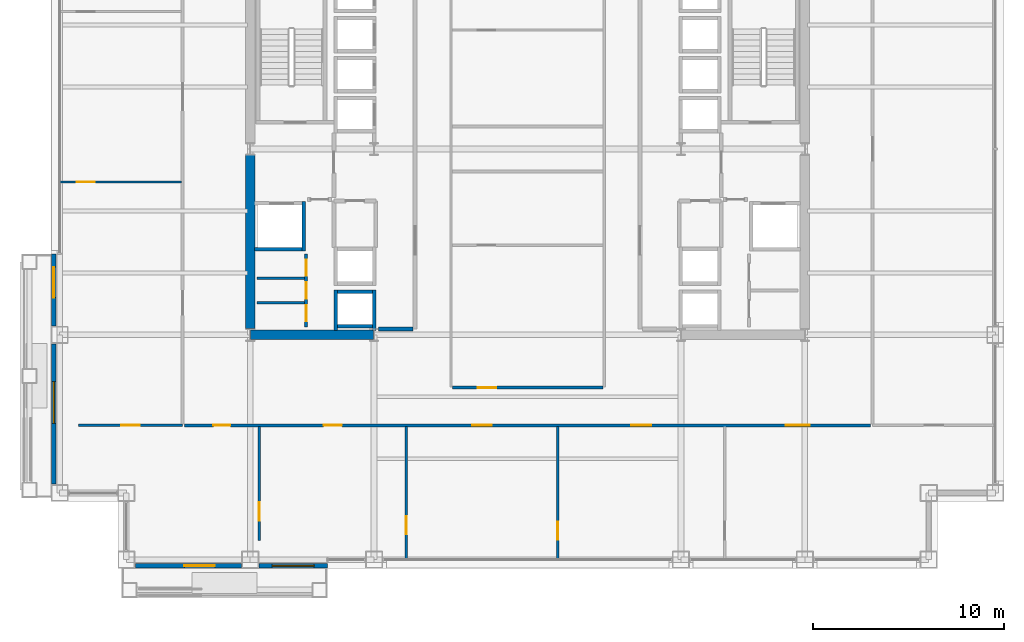
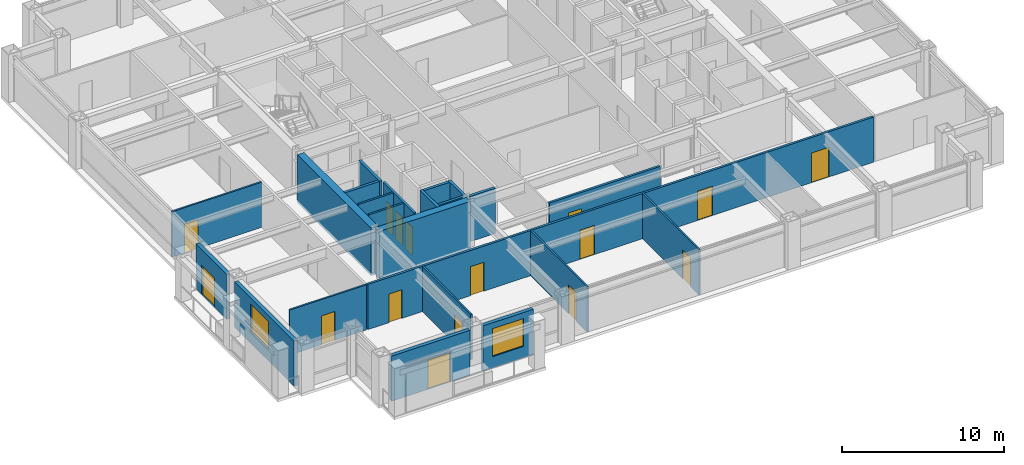
# One storey, part 24 of 30: 23 walls, 16 doors, 2 windows, 18 openings.
"""IFC4 building model written with IfcOpenShell, lengths in metres."""

from ifc_helpers import new_model, si_unit, direction, frame, frame_2d, origin, place, context, subcontext, project, spatial, rectangle, extrude, material, layer, layer_set, type_object, element, fill, save


model = new_model("IFC4")

# Units and contexts
model_context = context("Model", 3, precision=1e-05, world=origin(), true_north=direction((0.0, 1.0)))
body_context = subcontext(model_context, "Body", "Model", "MODEL_VIEW")
ifc_project = project(units=[si_unit("LENGTHUNIT", "METRE"), si_unit("AREAUNIT", "SQUARE_METRE"), si_unit("VOLUMEUNIT", "CUBIC_METRE"), si_unit("PLANEANGLEUNIT", "RADIAN"), si_unit("MASSUNIT", "GRAM", prefix="KILO")], contexts=[model_context])

# Site, building, storey
site_placement = place(None, origin())
site = spatial("IfcSite", under=ifc_project, at=site_placement, CompositionType="ELEMENT")
building_placement = place(site_placement, origin())
building = spatial("IfcBuilding", under=site, at=building_placement, Name="Brelmoor Portico Tower", CompositionType="ELEMENT")
storey_placement = place(building_placement, frame((0.0, 0.0, 74.39990234375)))
storey = spatial("IfcBuildingStorey", under=building, at=storey_placement, Name="L19", CompositionType="ELEMENT", Elevation=74.39990234375)

# Walls
ifc_material_1 = material(Name="Concrete C60", Category="concrete")
ifc_layer_1 = layer(ifc_material_1, 0.5)
ifc_layer_set_1 = layer_set([ifc_layer_1], Name="Concrete C60")
wall_type_1 = type_object("IfcWallType", Name="WL-CORE-500", PredefinedType="SHEAR", material=ifc_layer_set_1)
wall_1_placement = place(storey_placement, frame((-14.530029296875, -9.75, -0.199951171875), z_axis=(0.0, 0.0, 1.0), x_axis=(1.0, 0.0, 0.0)))
element("IfcWall", 1, at=wall_1_placement, inside=storey, type_object=wall_type_1, Name="L19 WC South Shear Wall", PredefinedType="SHEAR", context=body_context, shape_type="SweptSolid", body=[
    extrude(rectangle(XDim=6.4599609375, YDim=0.5, at=frame_2d((3.22998046875, 0.0))), origin(), (0.0, 0.0, 1.0), 3.60009765625),
])
wall_2_placement = place(storey_placement, frame((-14.550048828125, -9.425048828125, -0.199951171875), z_axis=(0.0, 0.0, 1.0), x_axis=(0.0, 1.0, 0.0)))
element("IfcWall", 2, at=wall_2_placement, inside=storey, type_object=wall_type_1, Name="L19 WC Outer South Shear Wall", PredefinedType="SHEAR", context=body_context, shape_type="SweptSolid", body=[
    extrude(rectangle(XDim=9.10009765625, YDim=0.5, at=frame_2d((4.550048828125, 0.0))), origin(), (0.0, 0.0, 1.0), 3.60009765625),
])

# Wall, opening, door
ifc_material_2 = material(Name="Precast Concrete C40 Insulated Facade Wall", Category="concrete")
ifc_layer_2 = layer(ifc_material_2, 0.25)
ifc_layer_set_2 = layer_set([ifc_layer_2], Name="Precast Concrete C40 Insulated Facade Wall")
wall_type_2 = type_object("IfcWallType", Name="WL-EXT-250", PredefinedType="STANDARD", material=ifc_layer_set_2)
wall_3_placement = place(storey_placement, frame((-20.580078125, -21.860107421875, 0.0), z_axis=(0.0, 0.0, 1.0), x_axis=(1.0, 0.0, 0.0)))
wall_3 = element("IfcWall", 3, at=wall_3_placement, inside=storey, type_object=wall_type_2, Name="L19 Loggia Threshold Wall S-1", PredefinedType="STANDARD", context=body_context, shape_type="SweptSolid", body=[
    extrude(rectangle(XDim=5.56005859375, YDim=0.25, at=frame_2d((2.780029296875, 0.0))), origin(), (0.0, 0.0, 1.0), 3.400146484375),
])
opening_1_placement = place(wall_3_placement, frame((2.580078125, 0.0, 0.0)))
opening_1 = element("IfcOpeningElement", 4, at=opening_1_placement, cuts=wall_3, Name="Opening D-TB1", PredefinedType="OPENING", context=body_context, shape_type="SweptSolid", body=[
    extrude(rectangle(XDim=1.60009765625, YDim=2.199951171875, at=frame_2d((0.800048828125, 1.10009765625))), frame((0.0, 0.135009765625, 0.0), z_axis=(0.0, -1.0, 0.0), x_axis=(1.0, 0.0, 0.0)), (0.0, 0.0, 1.0), 0.27001953125),
])
ifc_material_3 = material(Name="Double-Leaf Thermally Broken Terrace Door", Category="aluminium")
door_type_1 = type_object("IfcDoorType", Name="DR-BALCONY-1600", OperationType="NOTDEFINED", PredefinedType="DOOR", material=ifc_material_3)
door_1_placement = place(opening_1_placement, origin())
door_1 = element("IfcDoor", 5, at=door_1_placement, inside=storey, type_object=door_type_1, Name="D-0887 L19 Tree Balcony Double Door S", OperationType="DOUBLE_DOOR_SINGLE_SWING", OverallHeight=2.199951171875, OverallWidth=1.60009765625, PredefinedType="DOOR", context=body_context, shape_type="SweptSolid", body=[
    extrude(rectangle(XDim=1.60009765625, YDim=2.199951171875, at=frame_2d((0.800048828125, 1.10009765625))), frame((0.0, 0.02490234375, 0.0), z_axis=(0.0, -1.0, 0.0), x_axis=(1.0, 0.0, 0.0)), (0.0, 0.0, 1.0), 0.050048828125),
])
fill(opening_1, door_1)

# Wall, opening, window
wall_4_placement = place(storey_placement, frame((-14.080078125, -21.860107421875, 0.0), z_axis=(0.0, 0.0, 1.0), x_axis=(1.0, 0.0, 0.0)))
wall_4 = element("IfcWall", 6, at=wall_4_placement, inside=storey, type_object=wall_type_2, Name="L19 Loggia Threshold Wall S-2", PredefinedType="STANDARD", context=body_context, shape_type="SweptSolid", body=[
    extrude(rectangle(XDim=3.580078125, YDim=0.25, at=frame_2d((1.7900390625, 0.0))), origin(), (0.0, 0.0, 1.0), 3.400146484375),
])
opening_2_placement = place(wall_4_placement, frame((0.679931640625, 0.0, 0.85009765625)))
opening_2 = element("IfcOpeningElement", 7, at=opening_2_placement, cuts=wall_4, Name="Opening W-03B", PredefinedType="OPENING", context=body_context, shape_type="SweptSolid", body=[
    extrude(rectangle(XDim=2.199951171875, YDim=2.10009765625, at=frame_2d((1.10009765625, 1.050048828125))), frame((0.0, 0.135009765625, 0.0), z_axis=(0.0, -1.0, 0.0), x_axis=(1.0, 0.0, 0.0)), (0.0, 0.0, 1.0), 0.27001953125),
])
ifc_material_4 = material(Name="Thermally Broken Aluminium Low-E Window", Category="aluminium")
window_type = type_object("IfcWindowType", Name="WN-LOGGIA-2200x2100", PartitioningType="SINGLE_PANEL", PredefinedType="WINDOW", material=ifc_material_4)
window_1_placement = place(opening_2_placement, origin())
window_1 = element("IfcWindow", 8, at=window_1_placement, inside=storey, type_object=window_type, Name="L19 Loggia Window S", OverallHeight=2.10009765625, OverallWidth=2.199951171875, PartitioningType="SINGLE_PANEL", PredefinedType="WINDOW", context=body_context, shape_type="SweptSolid", body=[
    extrude(rectangle(XDim=2.199951171875, YDim=2.10009765625, at=frame_2d((1.10009765625, 1.050048828125))), frame((0.0, 0.030029296875, 0.0), z_axis=(0.0, -1.0, 0.0), x_axis=(1.0, 0.0, 0.0)), (0.0, 0.0, 1.0), 0.06005859375),
])
fill(opening_2, window_1)

wall_5_placement = place(storey_placement, frame((-24.860107421875, -17.580078125, 0.0), z_axis=(0.0, 0.0, 1.0), x_axis=(0.0, 1.0, 0.0)))
wall_5 = element("IfcWall", 9, at=wall_5_placement, inside=storey, type_object=wall_type_2, Name="L19 Loggia Threshold Wall W-1", PredefinedType="STANDARD", context=body_context, shape_type="SweptSolid", body=[
    extrude(rectangle(XDim=7.360107421875, YDim=0.25, at=frame_2d((3.68017578125, 0.0))), origin(), (0.0, 0.0, 1.0), 3.400146484375),
])
opening_3_placement = place(wall_5_placement, frame((3.179931640625, 0.0, 0.85009765625)))
opening_3 = element("IfcOpeningElement", 10, at=opening_3_placement, cuts=wall_5, Name="Opening W-03B", PredefinedType="OPENING", context=body_context, shape_type="SweptSolid", body=[
    extrude(rectangle(XDim=2.199951171875, YDim=2.10009765625, at=frame_2d((1.10009765625, 1.050048828125))), frame((0.0, 0.135009765625, 0.0), z_axis=(0.0, -1.0, 0.0), x_axis=(1.0, 0.0, 0.0)), (0.0, 0.0, 1.0), 0.27001953125),
])
window_2_placement = place(opening_3_placement, origin())
window_2 = element("IfcWindow", 11, at=window_2_placement, inside=storey, type_object=window_type, Name="L19 Loggia Window W", OverallHeight=2.10009765625, OverallWidth=2.199951171875, PartitioningType="SINGLE_PANEL", PredefinedType="WINDOW", context=body_context, shape_type="SweptSolid", body=[
    extrude(rectangle(XDim=2.199951171875, YDim=2.10009765625, at=frame_2d((1.10009765625, 1.050048828125))), frame((0.0, 0.030029296875, 0.0), z_axis=(0.0, -1.0, 0.0), x_axis=(1.0, 0.0, 0.0)), (0.0, 0.0, 1.0), 0.06005859375),
])
fill(opening_3, window_2)

# Wall, opening, door
wall_6_placement = place(storey_placement, frame((-24.860107421875, -9.280029296875, 0.0), z_axis=(0.0, 0.0, 1.0), x_axis=(0.0, 1.0, 0.0)))
wall_6 = element("IfcWall", 12, at=wall_6_placement, inside=storey, type_object=wall_type_2, Name="L19 Loggia Threshold Wall W-2", PredefinedType="STANDARD", context=body_context, shape_type="SweptSolid", body=[
    extrude(rectangle(XDim=3.780029296875, YDim=0.25, at=frame_2d((1.89013671875, 0.0))), origin(), (0.0, 0.0, 1.0), 3.400146484375),
])
opening_4_placement = place(wall_6_placement, frame((1.47998046875, 0.0, 0.0)))
opening_4 = element("IfcOpeningElement", 13, at=opening_4_placement, cuts=wall_6, Name="Opening D-TB1", PredefinedType="OPENING", context=body_context, shape_type="SweptSolid", body=[
    extrude(rectangle(XDim=1.60009765625, YDim=2.199951171875, at=frame_2d((0.800048828125, 1.10009765625))), frame((0.0, 0.135009765625, 0.0), z_axis=(0.0, -1.0, 0.0), x_axis=(1.0, 0.0, 0.0)), (0.0, 0.0, 1.0), 0.27001953125),
])
door_2_placement = place(opening_4_placement, origin())
door_2 = element("IfcDoor", 14, at=door_2_placement, inside=storey, type_object=door_type_1, Name="D-0888 L19 Tree Balcony Double Door W", OperationType="DOUBLE_DOOR_SINGLE_SWING", OverallHeight=2.199951171875, OverallWidth=1.60009765625, PredefinedType="DOOR", context=body_context, shape_type="SweptSolid", body=[
    extrude(rectangle(XDim=1.60009765625, YDim=2.199951171875, at=frame_2d((0.800048828125, 1.10009765625))), frame((0.0, 0.02490234375, 0.0), z_axis=(0.0, -1.0, 0.0), x_axis=(1.0, 0.0, 0.0)), (0.0, 0.0, 1.0), 0.050048828125),
])
fill(opening_4, door_2)

ifc_material_5 = material(Name="Lightweight Gypsum Office Partition", Category="gypsum")
ifc_layer_3 = layer(ifc_material_5, 0.1201171875)
ifc_layer_set_3 = layer_set([ifc_layer_3], Name="Lightweight Gypsum Office Partition")
wall_type_3 = type_object("IfcWallType", Name="WL-PART-120", PredefinedType="PARTITIONING", material=ifc_layer_set_3)
wall_7_placement = place(storey_placement, frame((-14.070068359375, -20.550048828125, 0.0), z_axis=(0.0, 0.0, 1.0), x_axis=(0.0, 1.0, 0.0)))
wall_7 = element("IfcWall", 15, at=wall_7_placement, inside=storey, type_object=wall_type_3, Name="L19 South Suite Partition 1", PredefinedType="PARTITIONING", context=body_context, shape_type="SweptSolid", body=[
    extrude(rectangle(XDim=5.989990234375, YDim=0.1201171875, at=frame_2d((2.9951171875, 0.0))), origin(), (0.0, 0.0, 1.0), 3.400146484375),
])
opening_5_placement = place(wall_7_placement, frame((1.050048828125, 0.0, 0.0)))
opening_5 = element("IfcOpeningElement", 16, at=opening_5_placement, cuts=wall_7, Name="Opening D-IN2", PredefinedType="OPENING", context=body_context, shape_type="SweptSolid", body=[
    extrude(rectangle(XDim=0.9599609375, YDim=2.179931640625, at=frame_2d((0.47998046875, 1.08984375))), frame((0.0, 0.070068359375, 0.0), z_axis=(0.0, -1.0, 0.0), x_axis=(1.0, 0.0, 0.0)), (0.0, 0.0, 1.0), 0.14013671875),
])
ifc_material_6 = material(Name="Lacquered Timber Suite Door", Category="wood")
door_type_2 = type_object("IfcDoorType", Name="DR-INT-950", OperationType="NOTDEFINED", PredefinedType="DOOR", material=ifc_material_6)
door_3_placement = place(opening_5_placement, origin())
door_3 = element("IfcDoor", 17, at=door_3_placement, inside=storey, type_object=door_type_2, Name="D-0879 L19 South Suite Connecting Door 1", OperationType="SINGLE_SWING_LEFT", OverallHeight=2.179931640625, OverallWidth=0.9599609375, PredefinedType="DOOR", context=body_context, shape_type="SweptSolid", body=[
    extrude(rectangle(XDim=0.9599609375, YDim=2.179931640625, at=frame_2d((0.47998046875, 1.08984375))), frame((0.0, 0.02490234375, 0.0), z_axis=(0.0, -1.0, 0.0), x_axis=(1.0, 0.0, 0.0)), (0.0, 0.0, 1.0), 0.050048828125),
])
fill(opening_5, door_3)

wall_8_placement = place(storey_placement, frame((-6.37109375, -21.56005859375, 0.0), z_axis=(0.0, 0.0, 1.0), x_axis=(0.0, 1.0, 0.0)))
wall_8 = element("IfcWall", 18, at=wall_8_placement, inside=storey, type_object=wall_type_3, Name="L19 South Suite Partition 2", PredefinedType="PARTITIONING", context=body_context, shape_type="SweptSolid", body=[
    extrude(rectangle(XDim=7.0, YDim=0.1201171875, at=frame_2d((3.5, 0.0))), origin(), (0.0, 0.0, 1.0), 3.400146484375),
])
opening_6_placement = place(wall_8_placement, frame((1.340087890625, 0.0, 0.0)))
opening_6 = element("IfcOpeningElement", 19, at=opening_6_placement, cuts=wall_8, Name="Opening D-IN2", PredefinedType="OPENING", context=body_context, shape_type="SweptSolid", body=[
    extrude(rectangle(XDim=0.9599609375, YDim=2.179931640625, at=frame_2d((0.47998046875, 1.08984375))), frame((0.0, 0.070068359375, 0.0), z_axis=(0.0, -1.0, 0.0), x_axis=(1.0, 0.0, 0.0)), (0.0, 0.0, 1.0), 0.14013671875),
])
door_4_placement = place(opening_6_placement, origin())
door_4 = element("IfcDoor", 20, at=door_4_placement, inside=storey, type_object=door_type_2, Name="D-0880 L19 South Suite Connecting Door 2", OperationType="SINGLE_SWING_RIGHT", OverallHeight=2.179931640625, OverallWidth=0.9599609375, PredefinedType="DOOR", context=body_context, shape_type="SweptSolid", body=[
    extrude(rectangle(XDim=0.9599609375, YDim=2.179931640625, at=frame_2d((0.47998046875, 1.08984375))), frame((0.0, 0.02490234375, 0.0), z_axis=(0.0, -1.0, 0.0), x_axis=(1.0, 0.0, 0.0)), (0.0, 0.0, 1.0), 0.050048828125),
])
fill(opening_6, door_4)

wall_9_placement = place(storey_placement, frame((1.5927734375, -21.56005859375, 0.0), z_axis=(0.0, 0.0, 1.0), x_axis=(0.0, 1.0, 0.0)))
wall_9 = element("IfcWall", 21, at=wall_9_placement, inside=storey, type_object=wall_type_3, Name="L19 South Suite Partition 3", PredefinedType="PARTITIONING", context=body_context, shape_type="SweptSolid", body=[
    extrude(rectangle(XDim=7.0, YDim=0.1201171875, at=frame_2d((3.5, 0.0))), origin(), (0.0, 0.0, 1.0), 3.400146484375),
])
opening_7_placement = place(wall_9_placement, frame((1.050048828125, 0.0, 0.0)))
opening_7 = element("IfcOpeningElement", 22, at=opening_7_placement, cuts=wall_9, Name="Opening D-IN2", PredefinedType="OPENING", context=body_context, shape_type="SweptSolid", body=[
    extrude(rectangle(XDim=0.9599609375, YDim=2.179931640625, at=frame_2d((0.47998046875, 1.08984375))), frame((0.0, 0.070068359375, 0.0), z_axis=(0.0, -1.0, 0.0), x_axis=(1.0, 0.0, 0.0)), (0.0, 0.0, 1.0), 0.14013671875),
])
door_5_placement = place(opening_7_placement, origin())
door_5 = element("IfcDoor", 23, at=door_5_placement, inside=storey, type_object=door_type_2, Name="D-0881 L19 South Suite Connecting Door 3", OperationType="SINGLE_SWING_LEFT", OverallHeight=2.179931640625, OverallWidth=0.9599609375, PredefinedType="DOOR", context=body_context, shape_type="SweptSolid", body=[
    extrude(rectangle(XDim=0.9599609375, YDim=2.179931640625, at=frame_2d((0.47998046875, 1.08984375))), frame((0.0, 0.02490234375, 0.0), z_axis=(0.0, -1.0, 0.0), x_axis=(1.0, 0.0, 0.0)), (0.0, 0.0, 1.0), 0.050048828125),
])
fill(opening_7, door_5)

wall_10_placement = place(storey_placement, frame((-23.550048828125, -14.5, 0.0), z_axis=(0.0, 0.0, 1.0), x_axis=(1.0, 0.0, 0.0)))
wall_10 = element("IfcWall", 24, at=wall_10_placement, inside=storey, type_object=wall_type_3, Name="L19 South Outer Closure WL", PredefinedType="PARTITIONING", context=body_context, shape_type="SweptSolid", body=[
    extrude(rectangle(XDim=5.449951171875, YDim=0.1201171875, at=frame_2d((2.72509765625, 0.0))), origin(), (0.0, 0.0, 1.0), 3.400146484375),
])
opening_8_placement = place(wall_10_placement, frame((2.2451171875, 0.0, 0.0)))
opening_8 = element("IfcOpeningElement", 25, at=opening_8_placement, cuts=wall_10, Name="Opening D-IN2", PredefinedType="OPENING", context=body_context, shape_type="SweptSolid", body=[
    extrude(rectangle(XDim=0.9599609375, YDim=2.179931640625, at=frame_2d((0.47998046875, 1.08984375))), frame((0.0, 0.070068359375, 0.0), z_axis=(0.0, -1.0, 0.0), x_axis=(1.0, 0.0, 0.0)), (0.0, 0.0, 1.0), 0.14013671875),
])
door_6_placement = place(opening_8_placement, origin())
door_6 = element("IfcDoor", 26, at=door_6_placement, inside=storey, type_object=door_type_2, Name="D-0886 L19 WL South Corner Suite Door", OperationType="SINGLE_SWING_RIGHT", OverallHeight=2.179931640625, OverallWidth=0.9599609375, PredefinedType="DOOR", context=body_context, shape_type="SweptSolid", body=[
    extrude(rectangle(XDim=0.9599609375, YDim=2.179931640625, at=frame_2d((0.47998046875, 1.08984375))), frame((0.0, 0.02490234375, 0.0), z_axis=(0.0, -1.0, 0.0), x_axis=(1.0, 0.0, 0.0)), (0.0, 0.0, 1.0), 0.050048828125),
])
fill(opening_8, door_6)

wall_11_placement = place(storey_placement, frame((-24.56005859375, -1.73046875, 0.0), z_axis=(0.0, 0.0, 1.0), x_axis=(1.0, 0.0, 0.0)))
wall_11 = element("IfcWall", 27, at=wall_11_placement, inside=storey, type_object=wall_type_3, Name="L19 W Wing Partition 1", PredefinedType="PARTITIONING", context=body_context, shape_type="SweptSolid", body=[
    extrude(rectangle(XDim=6.400146484375, YDim=0.1201171875, at=frame_2d((3.2001953125, 0.0))), origin(), (0.0, 0.0, 1.0), 3.400146484375),
])
opening_9_placement = place(wall_11_placement, frame((0.89990234375, 0.0, 0.0)))
opening_9 = element("IfcOpeningElement", 28, at=opening_9_placement, cuts=wall_11, Name="Opening D-IN2", PredefinedType="OPENING", context=body_context, shape_type="SweptSolid", body=[
    extrude(rectangle(XDim=0.9599609375, YDim=2.179931640625, at=frame_2d((0.47998046875, 1.08984375))), frame((0.0, 0.070068359375, 0.0), z_axis=(0.0, -1.0, 0.0), x_axis=(1.0, 0.0, 0.0)), (0.0, 0.0, 1.0), 0.14013671875),
])
door_7_placement = place(opening_9_placement, origin())
door_7 = element("IfcDoor", 29, at=door_7_placement, inside=storey, type_object=door_type_2, Name="D-0893 L19 W Wing Suite Connecting Door 1", OperationType="SINGLE_SWING_RIGHT", OverallHeight=2.179931640625, OverallWidth=0.9599609375, PredefinedType="DOOR", context=body_context, shape_type="SweptSolid", body=[
    extrude(rectangle(XDim=0.9599609375, YDim=2.179931640625, at=frame_2d((0.47998046875, 1.08984375))), frame((0.0, 0.02490234375, 0.0), z_axis=(0.0, -1.0, 0.0), x_axis=(1.0, 0.0, 0.0)), (0.0, 0.0, 1.0), 0.050048828125),
])
fill(opening_9, door_7)

# Walls
ifc_material_7 = material(Name="Insulated Stud Suite Partition", Category="gypsum")
ifc_layer_4 = layer(ifc_material_7, 0.139892578125)
ifc_layer_set_4 = layer_set([ifc_layer_4], Name="Insulated Stud Suite Partition")
wall_type_4 = type_object("IfcWallType", Name="WL-PART-140", PredefinedType="PARTITIONING", material=ifc_layer_set_4)
for number, where, z_axis, x_axis, name in (
    (30, (-11.699951171875, -8.066650390625, 0.0), (0.0, 0.0, 1.0), (-1.0, 0.0, 0.0), "L19 W Core WC Divider 1"),
    (31, (-11.699951171875, -6.783203125, 0.0), (0.0, 0.0, 1.0), (-1.0, 0.0, 0.0), "L19 W Core WC Divider 2"),
):
    element("IfcWall", number, at=place(storey_placement, frame(where, z_axis=z_axis, x_axis=x_axis)), inside=storey, type_object=wall_type_4, Name=name, PredefinedType="PARTITIONING", context=body_context, shape_type="SweptSolid", body=[
        extrude(rectangle(XDim=2.5, YDim=0.139892578125, at=frame_2d((1.25, 0.0))), origin(), (0.0, 0.0, 1.0), 3.400146484375),
    ])

# Wall, openings, doors
ifc_material_8 = material(Name="Twin-Frame Acoustic Partition", Category="gypsum")
ifc_layer_5 = layer(ifc_material_8, 0.159912109375)
ifc_layer_set_5 = layer_set([ifc_layer_5], Name="Twin-Frame Acoustic Partition")
wall_type_5 = type_object("IfcWallType", Name="WL-PART-160", PredefinedType="PARTITIONING", material=ifc_layer_set_5)
wall_12_placement = place(storey_placement, frame((-11.6201171875, -9.35009765625, 0.0), z_axis=(0.0, 0.0, 1.0), x_axis=(0.0, 1.0, 0.0)))
wall_12 = element("IfcWall", 32, at=wall_12_placement, inside=storey, type_object=wall_type_5, Name="L19 W Core Service Front Wall", PredefinedType="PARTITIONING", context=body_context, shape_type="SweptSolid", body=[
    extrude(rectangle(XDim=3.85009765625, YDim=0.159912109375, at=frame_2d((1.925048828125, 0.0))), origin(), (0.0, 0.0, 1.0), 3.400146484375),
])
opening_10_placement = place(wall_12_placement, frame((0.300048828125, 0.0, 0.0)))
opening_10 = element("IfcOpeningElement", 33, at=opening_10_placement, cuts=wall_12, Name="Opening D-WC1", PredefinedType="OPENING", context=body_context, shape_type="SweptSolid", body=[
    extrude(rectangle(XDim=0.85009765625, YDim=2.1201171875, at=frame_2d((0.425048828125, 1.06005859375))), frame((0.0, 0.08984375, 0.0), z_axis=(0.0, -1.0, 0.0), x_axis=(1.0, 0.0, 0.0)), (0.0, 0.0, 1.0), 0.179931640625),
])
opening_11_placement = place(wall_12_placement, frame((1.5, 0.0, 0.0)))
opening_11 = element("IfcOpeningElement", 34, at=opening_11_placement, cuts=wall_12, Name="Opening D-WC1", PredefinedType="OPENING", context=body_context, shape_type="SweptSolid", body=[
    extrude(rectangle(XDim=0.85009765625, YDim=2.1201171875, at=frame_2d((0.425048828125, 1.06005859375))), frame((0.0, 0.08984375, 0.0), z_axis=(0.0, -1.0, 0.0), x_axis=(1.0, 0.0, 0.0)), (0.0, 0.0, 1.0), 0.179931640625),
])
opening_12_placement = place(wall_12_placement, frame((2.699951171875, 0.0, 0.0)))
opening_12 = element("IfcOpeningElement", 35, at=opening_12_placement, cuts=wall_12, Name="Opening D-WC1", PredefinedType="OPENING", context=body_context, shape_type="SweptSolid", body=[
    extrude(rectangle(XDim=0.85009765625, YDim=2.1201171875, at=frame_2d((0.425048828125, 1.06005859375))), frame((0.0, 0.08984375, 0.0), z_axis=(0.0, -1.0, 0.0), x_axis=(1.0, 0.0, 0.0)), (0.0, 0.0, 1.0), 0.179931640625),
])
ifc_material_9 = material(Name="Moisture-Resistant Laminate WC Door", Category="timber")
door_type_3 = type_object("IfcDoorType", Name="DR-WC-850", OperationType="NOTDEFINED", PredefinedType="DOOR", material=ifc_material_9)
door_8_placement = place(opening_10_placement, origin())
door_8 = element("IfcDoor", 36, at=door_8_placement, inside=storey, type_object=door_type_3, Name="D-0858 L19 W Accessible WC Door", OperationType="SINGLE_SWING_LEFT", OverallHeight=2.1201171875, OverallWidth=0.85009765625, PredefinedType="DOOR", context=body_context, shape_type="SweptSolid", body=[
    extrude(rectangle(XDim=0.85009765625, YDim=2.1201171875, at=frame_2d((0.425048828125, 1.06005859375))), frame((0.0, 0.02490234375, 0.0), z_axis=(0.0, -1.0, 0.0), x_axis=(1.0, 0.0, 0.0)), (0.0, 0.0, 1.0), 0.050048828125),
])
fill(opening_10, door_8)
door_9_placement = place(opening_11_placement, origin())
door_9 = element("IfcDoor", 37, at=door_9_placement, inside=storey, type_object=door_type_3, Name="D-0859 L19 W Staff WC Door", OperationType="SINGLE_SWING_RIGHT", OverallHeight=2.1201171875, OverallWidth=0.85009765625, PredefinedType="DOOR", context=body_context, shape_type="SweptSolid", body=[
    extrude(rectangle(XDim=0.85009765625, YDim=2.1201171875, at=frame_2d((0.425048828125, 1.06005859375))), frame((0.0, 0.02490234375, 0.0), z_axis=(0.0, -1.0, 0.0), x_axis=(1.0, 0.0, 0.0)), (0.0, 0.0, 1.0), 0.050048828125),
])
fill(opening_11, door_9)
door_10_placement = place(opening_12_placement, origin())
door_10 = element("IfcDoor", 38, at=door_10_placement, inside=storey, type_object=door_type_3, Name="D-0860 L19 W Cleaner Store Door", OperationType="SINGLE_SWING_LEFT", OverallHeight=2.1201171875, OverallWidth=0.85009765625, PredefinedType="DOOR", context=body_context, shape_type="SweptSolid", body=[
    extrude(rectangle(XDim=0.85009765625, YDim=2.1201171875, at=frame_2d((0.425048828125, 1.06005859375))), frame((0.0, 0.02490234375, 0.0), z_axis=(0.0, -1.0, 0.0), x_axis=(1.0, 0.0, 0.0)), (0.0, 0.0, 1.0), 0.050048828125),
])
fill(opening_12, door_10)

# Wall, opening, door
wall_13_placement = place(storey_placement, frame((-3.949951171875, -12.52001953125, 0.0), z_axis=(0.0, 0.0, 1.0), x_axis=(1.0, 0.0, 0.0)))
wall_13 = element("IfcWall", 39, at=wall_13_placement, inside=storey, type_object=wall_type_5, Name="L19 Central Pantry Corridor Wall", PredefinedType="PARTITIONING", context=body_context, shape_type="SweptSolid", body=[
    extrude(rectangle(XDim=7.89990234375, YDim=0.159912109375, at=frame_2d((3.949951171875, 0.0))), origin(), (0.0, 0.0, 1.0), 3.400146484375),
])
opening_13_placement = place(wall_13_placement, frame((1.35009765625, 0.0, 0.0)))
opening_13 = element("IfcOpeningElement", 40, at=opening_13_placement, cuts=wall_13, Name="Opening D-IN2", PredefinedType="OPENING", context=body_context, shape_type="SweptSolid", body=[
    extrude(rectangle(XDim=0.9599609375, YDim=2.179931640625, at=frame_2d((0.47998046875, 1.08984375))), frame((0.0, 0.08984375, 0.0), z_axis=(0.0, -1.0, 0.0), x_axis=(1.0, 0.0, 0.0)), (0.0, 0.0, 1.0), 0.179931640625),
])
door_11_placement = place(opening_13_placement, origin())
door_11 = element("IfcDoor", 41, at=door_11_placement, inside=storey, type_object=door_type_2, Name="D-0852 L19 Staff Pantry Door", OperationType="SINGLE_SWING_RIGHT", OverallHeight=2.179931640625, OverallWidth=0.9599609375, PredefinedType="DOOR", context=body_context, shape_type="SweptSolid", body=[
    extrude(rectangle(XDim=0.9599609375, YDim=2.179931640625, at=frame_2d((0.47998046875, 1.08984375))), frame((0.0, 0.02490234375, 0.0), z_axis=(0.0, -1.0, 0.0), x_axis=(1.0, 0.0, 0.0)), (0.0, 0.0, 1.0), 0.050048828125),
])
fill(opening_13, door_11)

# Wall, openings, doors
wall_14_placement = place(storey_placement, frame((-18.0, -14.5, 0.0), z_axis=(0.0, 0.0, 1.0), x_axis=(1.0, 0.0, 0.0)))
wall_14 = element("IfcWall", 42, at=wall_14_placement, inside=storey, type_object=wall_type_5, Name="L19 South Corridor Partition", PredefinedType="PARTITIONING", context=body_context, shape_type="SweptSolid", body=[
    extrude(rectangle(XDim=36.0, YDim=0.159912109375, at=frame_2d((18.0, 0.0))), origin(), (0.0, 0.0, 1.0), 3.400146484375),
])
opening_14_placement = place(wall_14_placement, frame((1.514892578125, 0.0, 0.0)))
opening_14 = element("IfcOpeningElement", 43, at=opening_14_placement, cuts=wall_14, Name="Opening D-IN1", PredefinedType="OPENING", context=body_context, shape_type="SweptSolid", body=[
    extrude(rectangle(XDim=0.89990234375, YDim=2.14990234375, at=frame_2d((0.449951171875, 1.074951171875))), frame((0.0, 0.08984375, 0.0), z_axis=(0.0, -1.0, 0.0), x_axis=(1.0, 0.0, 0.0)), (0.0, 0.0, 1.0), 0.179931640625),
])
opening_15_placement = place(wall_14_placement, frame((7.29931640625, 0.0, 0.0)))
opening_15 = element("IfcOpeningElement", 44, at=opening_15_placement, cuts=wall_14, Name="Opening D-IN2", PredefinedType="OPENING", context=body_context, shape_type="SweptSolid", body=[
    extrude(rectangle(XDim=0.9599609375, YDim=2.179931640625, at=frame_2d((0.47998046875, 1.08984375))), frame((0.0, 0.08984375, 0.0), z_axis=(0.0, -1.0, 0.0), x_axis=(1.0, 0.0, 0.0)), (0.0, 0.0, 1.0), 0.179931640625),
])
opening_16_placement = place(wall_14_placement, frame((15.100830078125, 0.0, 0.0)))
opening_16 = element("IfcOpeningElement", 45, at=opening_16_placement, cuts=wall_14, Name="Opening D-OF1", PredefinedType="OPENING", context=body_context, shape_type="SweptSolid", body=[
    extrude(rectangle(XDim=1.02001953125, YDim=2.199951171875, at=frame_2d((0.510009765625, 1.10009765625))), frame((0.0, 0.08984375, 0.0), z_axis=(0.0, -1.0, 0.0), x_axis=(1.0, 0.0, 0.0)), (0.0, 0.0, 1.0), 0.179931640625),
])
opening_17_placement = place(wall_14_placement, frame((23.443115234375, 0.0, 0.0)))
opening_17 = element("IfcOpeningElement", 46, at=opening_17_placement, cuts=wall_14, Name="Opening D-OF2", PredefinedType="OPENING", context=body_context, shape_type="SweptSolid", body=[
    extrude(rectangle(XDim=1.06005859375, YDim=2.199951171875, at=frame_2d((0.530029296875, 1.10009765625))), frame((0.0, 0.08984375, 0.0), z_axis=(0.0, -1.0, 0.0), x_axis=(1.0, 0.0, 0.0)), (0.0, 0.0, 1.0), 0.179931640625),
])
opening_18_placement = place(wall_14_placement, frame((31.556640625, 0.0, 0.0)))
opening_18 = element("IfcOpeningElement", 47, at=opening_18_placement, cuts=wall_14, Name="Opening D-SU1", PredefinedType="OPENING", context=body_context, shape_type="SweptSolid", body=[
    extrude(rectangle(XDim=1.239990234375, YDim=2.239990234375, at=frame_2d((0.6201171875, 1.1201171875))), frame((0.0, 0.08984375, 0.0), z_axis=(0.0, -1.0, 0.0), x_axis=(1.0, 0.0, 0.0)), (0.0, 0.0, 1.0), 0.179931640625),
])
door_type_4 = type_object("IfcDoorType", Name="DR-INT-900", OperationType="NOTDEFINED", PredefinedType="DOOR", material=ifc_material_6)
door_12_placement = place(opening_14_placement, origin())
door_12 = element("IfcDoor", 48, at=door_12_placement, inside=storey, type_object=door_type_4, Name="D-0874 L19 South Technical Archive Store 1 Door", OperationType="SINGLE_SWING_LEFT", OverallHeight=2.14990234375, OverallWidth=0.89990234375, PredefinedType="DOOR", context=body_context, shape_type="SweptSolid", body=[
    extrude(rectangle(XDim=0.89990234375, YDim=2.14990234375, at=frame_2d((0.449951171875, 1.074951171875))), frame((0.0, 0.02490234375, 0.0), z_axis=(0.0, -1.0, 0.0), x_axis=(1.0, 0.0, 0.0)), (0.0, 0.0, 1.0), 0.050048828125),
])
fill(opening_14, door_12)
door_13_placement = place(opening_15_placement, origin())
door_13 = element("IfcDoor", 49, at=door_13_placement, inside=storey, type_object=door_type_2, Name="D-0875 L19 South Client Reception Room 2 Door", OperationType="SINGLE_SWING_RIGHT", OverallHeight=2.179931640625, OverallWidth=0.9599609375, PredefinedType="DOOR", context=body_context, shape_type="SweptSolid", body=[
    extrude(rectangle(XDim=0.9599609375, YDim=2.179931640625, at=frame_2d((0.47998046875, 1.08984375))), frame((0.0, 0.02490234375, 0.0), z_axis=(0.0, -1.0, 0.0), x_axis=(1.0, 0.0, 0.0)), (0.0, 0.0, 1.0), 0.050048828125),
])
fill(opening_15, door_13)
ifc_material_10 = material(Name="Hardwood Acoustic Veneer Door", Category="wood")
door_type_5 = type_object("IfcDoorType", Name="DR-OFFICE-1000", OperationType="NOTDEFINED", PredefinedType="DOOR", material=ifc_material_10)
door_14_placement = place(opening_16_placement, origin())
door_14 = element("IfcDoor", 50, at=door_14_placement, inside=storey, type_object=door_type_5, Name="D-0876 L19 South Partner Cellular Office 3 Door", OperationType="SINGLE_SWING_LEFT", OverallHeight=2.199951171875, OverallWidth=1.02001953125, PredefinedType="DOOR", context=body_context, shape_type="SweptSolid", body=[
    extrude(rectangle(XDim=1.02001953125, YDim=2.199951171875, at=frame_2d((0.510009765625, 1.10009765625))), frame((0.0, 0.02490234375, 0.0), z_axis=(0.0, -1.0, 0.0), x_axis=(1.0, 0.0, 0.0)), (0.0, 0.0, 1.0), 0.050048828125),
])
fill(opening_16, door_14)
door_type_6 = type_object("IfcDoorType", Name="DR-OFFICE-1050", OperationType="NOTDEFINED", PredefinedType="DOOR", material=ifc_material_10)
door_15_placement = place(opening_17_placement, origin())
door_15 = element("IfcDoor", 51, at=door_15_placement, inside=storey, type_object=door_type_6, Name="D-0877 L19 South Open-Plan Office 4 Door", OperationType="SINGLE_SWING_RIGHT", OverallHeight=2.199951171875, OverallWidth=1.06005859375, PredefinedType="DOOR", context=body_context, shape_type="SweptSolid", body=[
    extrude(rectangle(XDim=1.06005859375, YDim=2.199951171875, at=frame_2d((0.530029296875, 1.10009765625))), frame((0.0, 0.02490234375, 0.0), z_axis=(0.0, -1.0, 0.0), x_axis=(1.0, 0.0, 0.0)), (0.0, 0.0, 1.0), 0.050048828125),
])
fill(opening_17, door_15)
ifc_material_11 = material(Name="Glazed Timber Executive Suite Door", Category="wood")
door_type_7 = type_object("IfcDoorType", Name="DR-SUITE-1200", OperationType="NOTDEFINED", PredefinedType="DOOR", material=ifc_material_11)
door_16_placement = place(opening_18_placement, origin())
door_16 = element("IfcDoor", 52, at=door_16_placement, inside=storey, type_object=door_type_7, Name="D-0878 L19 South Reading Library 5 Door", OperationType="SINGLE_SWING_LEFT", OverallHeight=2.239990234375, OverallWidth=1.239990234375, PredefinedType="DOOR", context=body_context, shape_type="SweptSolid", body=[
    extrude(rectangle(XDim=1.239990234375, YDim=2.239990234375, at=frame_2d((0.6201171875, 1.1201171875))), frame((0.0, 0.02490234375, 0.0), z_axis=(0.0, -1.0, 0.0), x_axis=(1.0, 0.0, 0.0)), (0.0, 0.0, 1.0), 0.050048828125),
])
fill(opening_18, door_16)

# Walls
ifc_material_12 = material(Name="Double-Stud Gypsum Fire Partition", Category="gypsum")
ifc_layer_6 = layer(ifc_material_12, 0.199951171875)
ifc_layer_set_6 = layer_set([ifc_layer_6], Name="Double-Stud Gypsum Fire Partition")
wall_type_6 = type_object("IfcWallType", Name="WL-PART-200", PredefinedType="PARTITIONING", material=ifc_layer_set_6)
wall_15_placement = place(storey_placement, frame((-6.02001953125, -9.449951171875, 0.0), z_axis=(0.0, 0.0, 1.0), x_axis=(-1.0, 0.0, 0.0)))
element("IfcWall", 53, at=wall_15_placement, inside=storey, type_object=wall_type_6, Name="L19 W Lift Lobby South End Wall", PredefinedType="PARTITIONING", context=body_context, shape_type="SweptSolid", body=[
    extrude(rectangle(XDim=1.800048828125, YDim=0.199951171875, at=frame_2d((0.89990234375, 0.0))), origin(), (0.0, 0.0, 1.0), 3.400146484375),
])
ifc_material_13 = material(Name="Precast Concrete C40", Category="concrete")
ifc_layer_7 = layer(ifc_material_13, 0.18994140625)
ifc_layer_set_7 = layer_set([ifc_layer_7], Name="Precast Concrete C40")
wall_type_7 = type_object("IfcWallType", Name="WL-SHAFT-180", PredefinedType="SOLIDWALL", material=ifc_layer_set_7)
for number, where, z_axis, x_axis, name in (
    (54, (-8.044921875, -9.52001953125, -0.199951171875), (0.0, 0.0, 1.0), (0.0, 1.0, 0.0), "L19 Lift PH1 Hoistway Front Wall"),
    (55, (-10.054931640625, -9.52001953125, -0.199951171875), (0.0, 0.0, 1.0), (0.0, 1.0, 0.0), "L19 Lift PH1 Hoistway Back Wall"),
):
    element("IfcWall", number, at=place(storey_placement, frame(where, z_axis=z_axis, x_axis=x_axis)), inside=storey, type_object=wall_type_7, Name=name, PredefinedType="SOLIDWALL", context=body_context, shape_type="SweptSolid", body=[
        extrude(rectangle(XDim=2.1201171875, YDim=0.18994140625, at=frame_2d((1.06005859375, 0.0))), origin(), (0.0, 0.0, 1.0), 3.60009765625),
    ])
for number, where, z_axis, x_axis, name in (
    (56, (-10.14990234375, -7.4951171875, -0.199951171875), (0.0, 0.0, 1.0), (1.0, 0.0, 0.0), "L19 Lift PH1 Hoistway North Wall"),
    (57, (-10.14990234375, -9.304931640625, -0.199951171875), (0.0, 0.0, 1.0), (1.0, 0.0, 0.0), "L19 Lift PH1 Hoistway South Wall"),
):
    element("IfcWall", number, at=place(storey_placement, frame(where, z_axis=z_axis, x_axis=x_axis)), inside=storey, type_object=wall_type_7, Name=name, PredefinedType="SOLIDWALL", context=body_context, shape_type="SweptSolid", body=[
        extrude(rectangle(XDim=2.199951171875, YDim=0.18994140625, at=frame_2d((1.10009765625, 0.0))), origin(), (0.0, 0.0, 1.0), 3.60009765625),
    ])
wall_16_placement = place(storey_placement, frame((-14.330078125, -5.2548828125, -0.199951171875), z_axis=(0.0, 0.0, 1.0), x_axis=(1.0, 0.0, 0.0)))
element("IfcWall", 58, at=wall_16_placement, inside=storey, type_object=wall_type_7, Name="L19 Firefighting Lift FF1 South Wall", PredefinedType="SOLIDWALL", context=body_context, shape_type="SweptSolid", body=[
    extrude(rectangle(XDim=2.68017578125, YDim=0.18994140625, at=frame_2d((1.340087890625, 0.0))), origin(), (0.0, 0.0, 1.0), 3.60009765625),
])
wall_17_placement = place(storey_placement, frame((-11.7451171875, -5.35009765625, -0.199951171875), z_axis=(0.0, 0.0, 1.0), x_axis=(0.0, 1.0, 0.0)))
element("IfcWall", 59, at=wall_17_placement, inside=storey, type_object=wall_type_7, Name="L19 Firefighting Lift FF1 Inner Wall", PredefinedType="SOLIDWALL", context=body_context, shape_type="SweptSolid", body=[
    extrude(rectangle(XDim=2.60009765625, YDim=0.18994140625, at=frame_2d((1.300048828125, 0.0))), origin(), (0.0, 0.0, 1.0), 3.60009765625),
])

save(model, "model.ifc")
